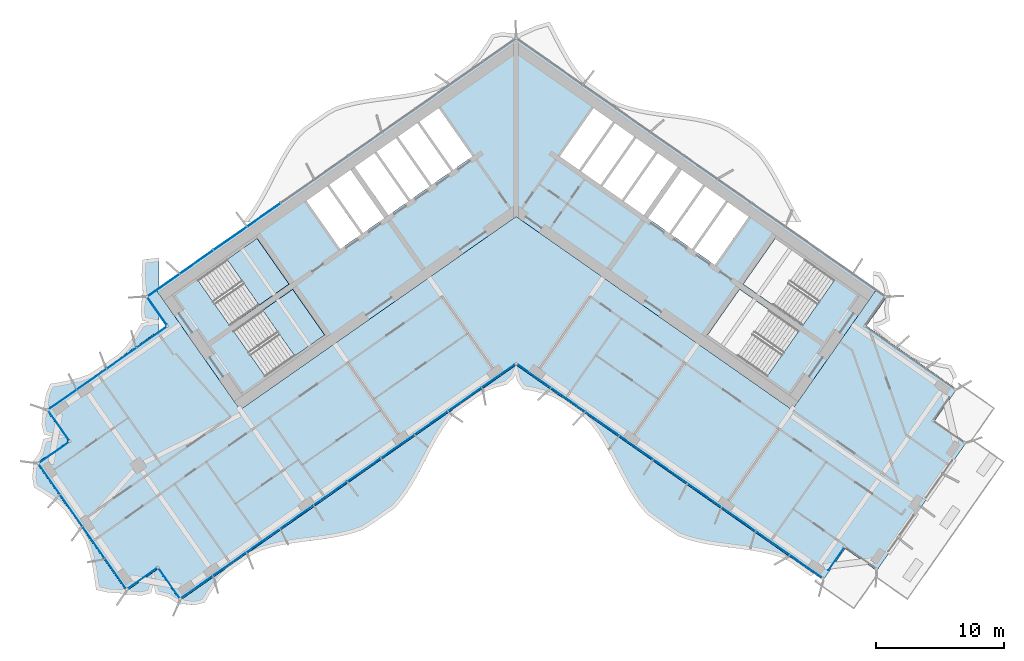
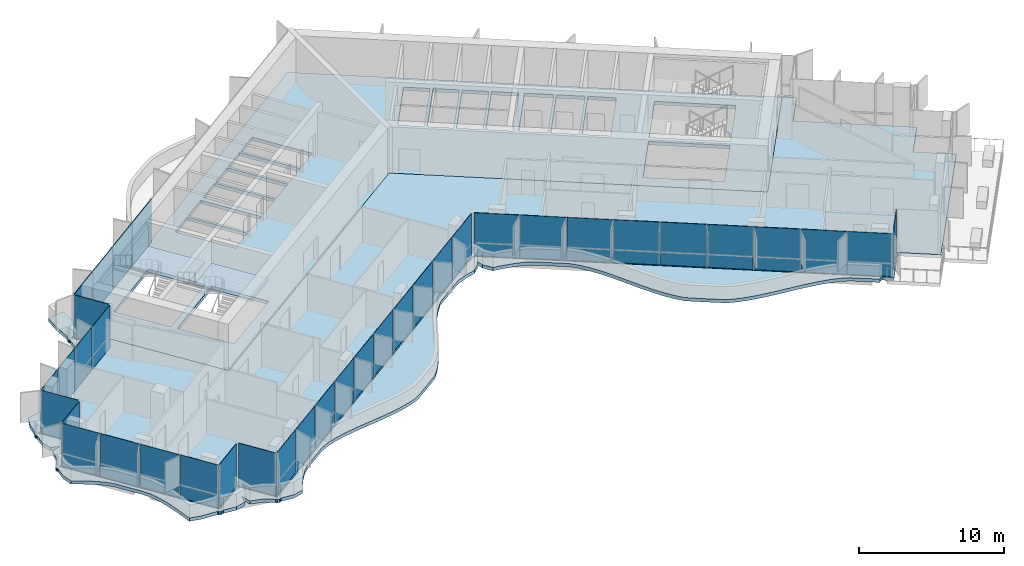
# One storey, part 11 of 23: 37 plates, 5 slabs, 4 elements without a shape of their own.
"""IFC4 building model written with IfcOpenShell, lengths in metres."""

from ifc_helpers import new_model, si_unit, direction, frame, origin, origin_2d, place, context, subcontext, project, spatial, polyline, rectangle, outline, extrude, material, layer, layer_set, type_object, element, aggregate, save


model = new_model("IFC4")

# Units and contexts
model_context = context("Model", 3, precision=1e-05, world=origin(), true_north=direction((0.0, 1.0)))
body_context = subcontext(model_context, "Body", "Model", "MODEL_VIEW")
ifc_project = project(units=[si_unit("LENGTHUNIT", "METRE"), si_unit("AREAUNIT", "SQUARE_METRE"), si_unit("VOLUMEUNIT", "CUBIC_METRE"), si_unit("PLANEANGLEUNIT", "RADIAN"), si_unit("MASSUNIT", "GRAM", prefix="KILO")], contexts=[model_context])

# Site, building, storey
site_placement = place(None, origin())
site = spatial("IfcSite", under=ifc_project, at=site_placement, CompositionType="ELEMENT")
building_placement = place(site_placement, origin())
building = spatial("IfcBuilding", under=site, at=building_placement, Name="Tel Ilan Convention Tower", CompositionType="ELEMENT")
storey_placement = place(building_placement, frame((0.0, 0.0, 190.5)))
storey = spatial("IfcBuildingStorey", under=building, at=storey_placement, Name="L44", CompositionType="ELEMENT", Elevation=190.5)

# Curtain wall, plates
ifc_material_1 = material(Name="Aluminium, bronze anodised", Category="aluminium")
curtain_wall_type_1 = type_object("IfcCurtainWallType", Name="CW4 STICK CURTAIN WALL, OFFICE TINTED GLASS", PredefinedType="NOTDEFINED", material=ifc_material_1)
curtain_wall_1_placement = place(storey_placement, origin())
curtain_wall_1 = element("IfcCurtainWall", 1, at=curtain_wall_1_placement, inside=storey, type_object=curtain_wall_type_1, Name="Curtain wall CW4-34.04", PredefinedType="NOTDEFINED")
ifc_material_2 = material(Name="Glass, bronze tinted, two-ply", Category="glass")
ifc_layer_1 = layer(ifc_material_2, 0.028076171875)
ifc_layer_set_1 = layer_set([ifc_layer_1], Name="CW GLASS PANEL 28")
plate_type_1 = type_object("IfcPlateType", Name="CW GLASS PANEL 28", PredefinedType="CURTAIN_PANEL", material=ifc_layer_set_1)
plate_1_placement = place(storey_placement, frame((-28.450927734375, -10.6435546875, 0.0), z_axis=(0.0, 0.0, 1.0), x_axis=(-0.819152044289, -0.573576436351, 0.0)))
plate_1 = element("IfcPlate", 2, at=plate_1_placement, type_object=plate_type_1, Name="Glass panel", PredefinedType="CURTAIN_PANEL", context=body_context, shape_type="SweptSolid", body=[
    extrude(rectangle(XDim=2.819091796875, YDim=0.028076171875, at=origin_2d()), origin(), (0.0, 0.0, 1.0), 3.6201171875),
])
plate_2_placement = place(storey_placement, frame((-30.79736328125, -12.28662109375, 0.0), z_axis=(0.0, 0.0, 1.0), x_axis=(-0.819152044289, -0.573576436351, 0.0)))
plate_2 = element("IfcPlate", 3, at=plate_2_placement, type_object=plate_type_1, Name="Glass panel", PredefinedType="CURTAIN_PANEL", context=body_context, shape_type="SweptSolid", body=[
    extrude(rectangle(XDim=2.7900390625, YDim=0.028076171875, at=origin_2d()), origin(), (0.0, 0.0, 1.0), 3.6201171875),
])
plate_3_placement = place(storey_placement, frame((-33.1318359375, -13.92138671875, 0.0), z_axis=(0.0, 0.0, 1.0), x_axis=(-0.819152044289, -0.573576436351, 0.0)))
plate_3 = element("IfcPlate", 4, at=plate_3_placement, type_object=plate_type_1, Name="Glass panel", PredefinedType="CURTAIN_PANEL", context=body_context, shape_type="SweptSolid", body=[
    extrude(rectangle(XDim=2.7900390625, YDim=0.028076171875, at=origin_2d()), origin(), (0.0, 0.0, 1.0), 3.6201171875),
])
plate_4_placement = place(storey_placement, frame((-35.427978515625, -15.529052734375, 0.0), z_axis=(0.0, 0.0, 1.0), x_axis=(-0.819152044289, -0.573576436351, 0.0)))
plate_4 = element("IfcPlate", 5, at=plate_4_placement, type_object=plate_type_1, Name="Glass panel", PredefinedType="CURTAIN_PANEL", context=body_context, shape_type="SweptSolid", body=[
    extrude(rectangle(XDim=2.696044921875, YDim=0.028076171875, at=origin_2d()), origin(), (0.0, 0.0, 1.0), 3.6201171875),
])
plate_5_placement = place(storey_placement, frame((-35.713623046875, -17.51318359375, 0.0), z_axis=(0.0, 0.0, 1.0), x_axis=(0.573576436351, -0.819152044289, 0.0)))
plate_5 = element("IfcPlate", 6, at=plate_5_placement, type_object=plate_type_1, Name="Glass panel", PredefinedType="CURTAIN_PANEL", context=body_context, shape_type="SweptSolid", body=[
    extrude(rectangle(XDim=2.875, YDim=0.028076171875, at=origin_2d()), origin(), (0.0, 0.0, 1.0), 3.6201171875),
])
plate_6_placement = place(storey_placement, frame((-36.09130859375, -19.656005859375, 0.0), z_axis=(0.0, 0.0, 1.0), x_axis=(-0.819152044289, -0.573576436351, 0.0)))
plate_6 = element("IfcPlate", 7, at=plate_6_placement, type_object=plate_type_1, Name="Glass panel", PredefinedType="CURTAIN_PANEL", context=body_context, shape_type="SweptSolid", body=[
    extrude(rectangle(XDim=2.875, YDim=0.028076171875, at=origin_2d()), origin(), (0.0, 0.0, 1.0), 3.6201171875),
])
plate_7_placement = place(storey_placement, frame((-36.4443359375, -21.699951171875, 0.0), z_axis=(0.0, 0.0, 1.0), x_axis=(0.573576436351, -0.819152044289, 0.0)))
plate_7 = element("IfcPlate", 8, at=plate_7_placement, type_object=plate_type_1, Name="Glass panel", PredefinedType="CURTAIN_PANEL", context=body_context, shape_type="SweptSolid", body=[
    extrude(rectangle(XDim=2.89599609375, YDim=0.028076171875, at=origin_2d()), origin(), (0.0, 0.0, 1.0), 3.6201171875),
])
plate_8_placement = place(storey_placement, frame((-34.721923828125, -24.159912109375, 0.0), z_axis=(0.0, 0.0, 1.0), x_axis=(0.573576436351, -0.819152044289, 0.0)))
plate_8 = element("IfcPlate", 9, at=plate_8_placement, type_object=plate_type_1, Name="Glass panel", PredefinedType="CURTAIN_PANEL", context=body_context, shape_type="SweptSolid", body=[
    extrude(rectangle(XDim=2.989990234375, YDim=0.028076171875, at=origin_2d()), origin(), (0.0, 0.0, 1.0), 3.6201171875),
])
plate_9_placement = place(storey_placement, frame((-32.972412109375, -26.658203125, 0.0), z_axis=(0.0, 0.0, 1.0), x_axis=(0.573576436351, -0.819152044289, 0.0)))
plate_9 = element("IfcPlate", 10, at=plate_9_placement, type_object=plate_type_1, Name="Glass panel", PredefinedType="CURTAIN_PANEL", context=body_context, shape_type="SweptSolid", body=[
    extrude(rectangle(XDim=2.989990234375, YDim=0.028076171875, at=origin_2d()), origin(), (0.0, 0.0, 1.0), 3.6201171875),
])
plate_10_placement = place(storey_placement, frame((-31.25, -29.1181640625, 0.0), z_axis=(0.0, 0.0, 1.0), x_axis=(0.573576436351, -0.819152044289, 0.0)))
plate_10 = element("IfcPlate", 11, at=plate_10_placement, type_object=plate_type_1, Name="Glass panel", PredefinedType="CURTAIN_PANEL", context=body_context, shape_type="SweptSolid", body=[
    extrude(rectangle(XDim=2.89599609375, YDim=0.028076171875, at=origin_2d()), origin(), (0.0, 0.0, 1.0), 3.6201171875),
])
plate_11_placement = place(storey_placement, frame((-29.20849609375, -29.48583984375, 0.0), z_axis=(0.0, 0.0, 1.0), x_axis=(0.819152044289, 0.573576436351, 0.0)))
plate_11 = element("IfcPlate", 12, at=plate_11_placement, type_object=plate_type_1, Name="Glass panel", PredefinedType="CURTAIN_PANEL", context=body_context, shape_type="SweptSolid", body=[
    extrude(rectangle(XDim=2.875, YDim=0.028076171875, at=origin_2d()), origin(), (0.0, 0.0, 1.0), 3.6201171875),
])
plate_12_placement = place(storey_placement, frame((-27.065673828125, -29.863525390625, 0.0), z_axis=(0.0, 0.0, 1.0), x_axis=(0.573576436351, -0.819152044289, 0.0)))
plate_12 = element("IfcPlate", 13, at=plate_12_placement, type_object=plate_type_1, Name="Glass panel", PredefinedType="CURTAIN_PANEL", context=body_context, shape_type="SweptSolid", body=[
    extrude(rectangle(XDim=2.875, YDim=0.028076171875, at=origin_2d()), origin(), (0.0, 0.0, 1.0), 3.6201171875),
])
plate_13_placement = place(storey_placement, frame((-24.958251953125, -30.172119140625, 0.0), z_axis=(0.0, 0.0, 1.0), x_axis=(0.819152044289, 0.573576436351, 0.0)))
plate_13 = element("IfcPlate", 14, at=plate_13_placement, type_object=plate_type_1, Name="Glass panel", PredefinedType="CURTAIN_PANEL", context=body_context, shape_type="SweptSolid", body=[
    extrude(rectangle(XDim=3.05078125, YDim=0.028076171875, at=origin_2d()), origin(), (0.0, 0.0, 1.0), 3.6201171875),
])
plate_14_placement = place(storey_placement, frame((-22.37158203125, -28.36083984375, 0.0), z_axis=(0.0, 0.0, 1.0), x_axis=(0.819152044289, 0.573576436351, 0.0)))
plate_14 = element("IfcPlate", 15, at=plate_14_placement, type_object=plate_type_1, Name="Glass panel", PredefinedType="CURTAIN_PANEL", context=body_context, shape_type="SweptSolid", body=[
    extrude(rectangle(XDim=3.144775390625, YDim=0.028076171875, at=origin_2d()), origin(), (0.0, 0.0, 1.0), 3.6201171875),
])
plate_15_placement = place(storey_placement, frame((-19.746337890625, -26.522705078125, 0.0), z_axis=(0.0, 0.0, 1.0), x_axis=(0.819152044289, 0.573576436351, 0.0)))
plate_15 = element("IfcPlate", 16, at=plate_15_placement, type_object=plate_type_1, Name="Glass panel", PredefinedType="CURTAIN_PANEL", context=body_context, shape_type="SweptSolid", body=[
    extrude(rectangle(XDim=3.144775390625, YDim=0.028076171875, at=origin_2d()), origin(), (0.0, 0.0, 1.0), 3.6201171875),
])
plate_16_placement = place(storey_placement, frame((-17.12109375, -24.684326171875, 0.0), z_axis=(0.0, 0.0, 1.0), x_axis=(0.819152044289, 0.573576436351, 0.0)))
plate_16 = element("IfcPlate", 17, at=plate_16_placement, type_object=plate_type_1, Name="Glass panel", PredefinedType="CURTAIN_PANEL", context=body_context, shape_type="SweptSolid", body=[
    extrude(rectangle(XDim=3.144775390625, YDim=0.028076171875, at=origin_2d()), origin(), (0.0, 0.0, 1.0), 3.6201171875),
])
plate_17_placement = place(storey_placement, frame((-14.49609375, -22.84619140625, 0.0), z_axis=(0.0, 0.0, 1.0), x_axis=(0.819152044289, 0.573576436351, 0.0)))
plate_17 = element("IfcPlate", 18, at=plate_17_placement, type_object=plate_type_1, Name="Glass panel", PredefinedType="CURTAIN_PANEL", context=body_context, shape_type="SweptSolid", body=[
    extrude(rectangle(XDim=3.144775390625, YDim=0.028076171875, at=origin_2d()), origin(), (0.0, 0.0, 1.0), 3.6201171875),
])
plate_18_placement = place(storey_placement, frame((-11.870849609375, -21.008056640625, 0.0), z_axis=(0.0, 0.0, 1.0), x_axis=(0.819152044289, 0.573576436351, 0.0)))
plate_18 = element("IfcPlate", 19, at=plate_18_placement, type_object=plate_type_1, Name="Glass panel", PredefinedType="CURTAIN_PANEL", context=body_context, shape_type="SweptSolid", body=[
    extrude(rectangle(XDim=3.144775390625, YDim=0.028076171875, at=origin_2d()), origin(), (0.0, 0.0, 1.0), 3.6201171875),
])
plate_19_placement = place(storey_placement, frame((-9.24560546875, -19.169921875, 0.0), z_axis=(0.0, 0.0, 1.0), x_axis=(0.819152044289, 0.573576436351, 0.0)))
plate_19 = element("IfcPlate", 20, at=plate_19_placement, type_object=plate_type_1, Name="Glass panel", PredefinedType="CURTAIN_PANEL", context=body_context, shape_type="SweptSolid", body=[
    extrude(rectangle(XDim=3.144775390625, YDim=0.028076171875, at=origin_2d()), origin(), (0.0, 0.0, 1.0), 3.6201171875),
])
plate_20_placement = place(storey_placement, frame((-6.620361328125, -17.331787109375, 0.0), z_axis=(0.0, 0.0, 1.0), x_axis=(0.819152044289, 0.573576436351, 0.0)))
plate_20 = element("IfcPlate", 21, at=plate_20_placement, type_object=plate_type_1, Name="Glass panel", PredefinedType="CURTAIN_PANEL", context=body_context, shape_type="SweptSolid", body=[
    extrude(rectangle(XDim=3.144775390625, YDim=0.028076171875, at=origin_2d()), origin(), (0.0, 0.0, 1.0), 3.6201171875),
])
plate_21_placement = place(storey_placement, frame((-3.9951171875, -15.493408203125, 0.0), z_axis=(0.0, 0.0, 1.0), x_axis=(0.819152044289, 0.573576436351, 0.0)))
plate_21 = element("IfcPlate", 22, at=plate_21_placement, type_object=plate_type_1, Name="Glass panel", PredefinedType="CURTAIN_PANEL", context=body_context, shape_type="SweptSolid", body=[
    extrude(rectangle(XDim=3.144775390625, YDim=0.028076171875, at=origin_2d()), origin(), (0.0, 0.0, 1.0), 3.6201171875),
])
plate_22_placement = place(storey_placement, frame((-1.370361328125, -13.655517578125, 0.0), z_axis=(0.0, 0.0, 1.0), x_axis=(0.819152044289, 0.573576436351, 0.0)))
plate_22 = element("IfcPlate", 23, at=plate_22_placement, type_object=plate_type_1, Name="Glass panel", PredefinedType="CURTAIN_PANEL", context=body_context, shape_type="SweptSolid", body=[
    extrude(rectangle(XDim=3.143798828125, YDim=0.028076171875, at=origin_2d()), origin(), (0.0, 0.0, 1.0), 3.6201171875),
])
plate_23_placement = place(storey_placement, frame((1.400390625, -13.676513671875, 0.0), z_axis=(0.0, 0.0, 1.0), x_axis=(0.819152044289, -0.573576436351, 0.0)))
plate_23 = element("IfcPlate", 24, at=plate_23_placement, type_object=plate_type_1, Name="Glass panel", PredefinedType="CURTAIN_PANEL", context=body_context, shape_type="SweptSolid", body=[
    extrude(rectangle(XDim=3.16064453125, YDim=0.028076171875, at=origin_2d()), origin(), (0.0, 0.0, 1.0), 3.6201171875),
])
plate_24_placement = place(storey_placement, frame((4.050537109375, -15.5322265625, 0.0), z_axis=(0.0, 0.0, 1.0), x_axis=(0.819152044289, -0.573576436351, 0.0)))
plate_24 = element("IfcPlate", 25, at=plate_24_placement, type_object=plate_type_1, Name="Glass panel", PredefinedType="CURTAIN_PANEL", context=body_context, shape_type="SweptSolid", body=[
    extrude(rectangle(XDim=3.189697265625, YDim=0.028076171875, at=origin_2d()), origin(), (0.0, 0.0, 1.0), 3.6201171875),
])
plate_25_placement = place(storey_placement, frame((6.71240234375, -17.396240234375, 0.0), z_axis=(0.0, 0.0, 1.0), x_axis=(0.819152044289, -0.573576436351, 0.0)))
plate_25 = element("IfcPlate", 26, at=plate_25_placement, type_object=plate_type_1, Name="Glass panel", PredefinedType="CURTAIN_PANEL", context=body_context, shape_type="SweptSolid", body=[
    extrude(rectangle(XDim=3.189697265625, YDim=0.028076171875, at=origin_2d()), origin(), (0.0, 0.0, 1.0), 3.6201171875),
])
plate_26_placement = place(storey_placement, frame((9.37451171875, -19.26025390625, 0.0), z_axis=(0.0, 0.0, 1.0), x_axis=(0.819152044289, -0.573576436351, 0.0)))
plate_26 = element("IfcPlate", 27, at=plate_26_placement, type_object=plate_type_1, Name="Glass panel", PredefinedType="CURTAIN_PANEL", context=body_context, shape_type="SweptSolid", body=[
    extrude(rectangle(XDim=3.189697265625, YDim=0.028076171875, at=origin_2d()), origin(), (0.0, 0.0, 1.0), 3.6201171875),
])
plate_27_placement = place(storey_placement, frame((12.03662109375, -21.124267578125, 0.0), z_axis=(0.0, 0.0, 1.0), x_axis=(0.819152044289, -0.573576436351, 0.0)))
plate_27 = element("IfcPlate", 28, at=plate_27_placement, type_object=plate_type_1, Name="Glass panel", PredefinedType="CURTAIN_PANEL", context=body_context, shape_type="SweptSolid", body=[
    extrude(rectangle(XDim=3.189697265625, YDim=0.028076171875, at=origin_2d()), origin(), (0.0, 0.0, 1.0), 3.6201171875),
])
plate_28_placement = place(storey_placement, frame((14.69873046875, -22.988037109375, 0.0), z_axis=(0.0, 0.0, 1.0), x_axis=(0.819152044289, -0.573576436351, 0.0)))
plate_28 = element("IfcPlate", 29, at=plate_28_placement, type_object=plate_type_1, Name="Glass panel", PredefinedType="CURTAIN_PANEL", context=body_context, shape_type="SweptSolid", body=[
    extrude(rectangle(XDim=3.189697265625, YDim=0.028076171875, at=origin_2d()), origin(), (0.0, 0.0, 1.0), 3.6201171875),
])
plate_29_placement = place(storey_placement, frame((17.360595703125, -24.85205078125, 0.0), z_axis=(0.0, 0.0, 1.0), x_axis=(0.819152044289, -0.573576436351, 0.0)))
plate_29 = element("IfcPlate", 30, at=plate_29_placement, type_object=plate_type_1, Name="Glass panel", PredefinedType="CURTAIN_PANEL", context=body_context, shape_type="SweptSolid", body=[
    extrude(rectangle(XDim=3.189697265625, YDim=0.028076171875, at=origin_2d()), origin(), (0.0, 0.0, 1.0), 3.6201171875),
])
plate_30_placement = place(storey_placement, frame((20.022705078125, -26.716064453125, 0.0), z_axis=(0.0, 0.0, 1.0), x_axis=(0.819152044289, -0.573576436351, 0.0)))
plate_30 = element("IfcPlate", 31, at=plate_30_placement, type_object=plate_type_1, Name="Glass panel", PredefinedType="CURTAIN_PANEL", context=body_context, shape_type="SweptSolid", body=[
    extrude(rectangle(XDim=3.189697265625, YDim=0.028076171875, at=origin_2d()), origin(), (0.0, 0.0, 1.0), 3.6201171875),
])
plate_31_placement = place(storey_placement, frame((22.646240234375, -28.55322265625, 0.0), z_axis=(0.0, 0.0, 1.0), x_axis=(0.819152044289, -0.573576436351, 0.0)))
plate_31 = element("IfcPlate", 32, at=plate_31_placement, type_object=plate_type_1, Name="Glass panel", PredefinedType="CURTAIN_PANEL", context=body_context, shape_type="SweptSolid", body=[
    extrude(rectangle(XDim=3.095703125, YDim=0.028076171875, at=origin_2d()), origin(), (0.0, 0.0, 1.0), 3.6201171875),
])
plate_32_placement = place(storey_placement, frame((24.98779296875, -27.949462890625, 0.0), z_axis=(0.0, 0.0, 1.0), x_axis=(0.573576436351, 0.819152044289, 0.0)))
plate_32 = element("IfcPlate", 33, at=plate_32_placement, type_object=plate_type_1, Name="Glass panel", PredefinedType="CURTAIN_PANEL", context=body_context, shape_type="SweptSolid", body=[
    extrude(rectangle(XDim=2.123046875, YDim=0.028076171875, at=origin_2d()), origin(), (0.0, 0.0, 1.0), 3.6201171875),
])
aggregate(curtain_wall_1, [plate_1, plate_2, plate_3, plate_4, plate_5, plate_6, plate_7, plate_8, plate_9, plate_10, plate_11, plate_12, plate_13, plate_14, plate_15, plate_16, plate_17, plate_18, plate_19, plate_20, plate_21, plate_22, plate_23, plate_24, plate_25, plate_26, plate_27, plate_28, plate_29, plate_30, plate_31, plate_32])

ifc_material_3 = material(Name="Aluminium, bronze anodised", Category="aluminium")
curtain_wall_type_2 = type_object("IfcCurtainWallType", Name="CW2 STICK CURTAIN WALL, SPANDREL PANELS", PredefinedType="NOTDEFINED", material=ifc_material_3)
curtain_wall_2_placement = place(storey_placement, origin())
curtain_wall_2 = element("IfcCurtainWall", 34, at=curtain_wall_2_placement, inside=storey, type_object=curtain_wall_type_2, Name="Curtain wall CW2-34.03", PredefinedType="NOTDEFINED")
ifc_material_4 = material(Name="Aluminium composite panel, bronze anodised", Category="aluminium")
ifc_layer_2 = layer(ifc_material_4, 0.06005859375)
ifc_layer_set_2 = layer_set([ifc_layer_2], Name="CW SPANDREL PANEL 60")
plate_type_2 = type_object("IfcPlateType", Name="CW SPANDREL PANEL 60", PredefinedType="CURTAIN_PANEL", material=ifc_layer_set_2)
plate_33_placement = place(storey_placement, frame((-19.687255859375, -1.089111328125, 0.0), z_axis=(0.0, 0.0, 1.0), x_axis=(-0.819152044289, -0.573576436351, 0.0)))
plate_33 = element("IfcPlate", 35, at=plate_33_placement, type_object=plate_type_2, Name="Spandrel panel", PredefinedType="CURTAIN_PANEL", context=body_context, shape_type="SweptSolid", body=[
    extrude(rectangle(XDim=3.15380859375, YDim=0.06005859375, at=origin_2d()), origin(), (0.0, 0.0, 1.0), 3.6201171875),
])
plate_34_placement = place(storey_placement, frame((-22.31982421875, -2.9326171875, 0.0), z_axis=(0.0, 0.0, 1.0), x_axis=(-0.819152044289, -0.573576436351, 0.0)))
plate_34 = element("IfcPlate", 36, at=plate_34_placement, type_object=plate_type_2, Name="Spandrel panel", PredefinedType="CURTAIN_PANEL", context=body_context, shape_type="SweptSolid", body=[
    extrude(rectangle(XDim=3.15380859375, YDim=0.06005859375, at=origin_2d()), origin(), (0.0, 0.0, 1.0), 3.6201171875),
])
plate_35_placement = place(storey_placement, frame((-24.95263671875, -4.77587890625, 0.0), z_axis=(0.0, 0.0, 1.0), x_axis=(-0.819152044289, -0.573576436351, 0.0)))
plate_35 = element("IfcPlate", 37, at=plate_35_placement, type_object=plate_type_2, Name="Spandrel panel", PredefinedType="CURTAIN_PANEL", context=body_context, shape_type="SweptSolid", body=[
    extrude(rectangle(XDim=3.15380859375, YDim=0.06005859375, at=origin_2d()), origin(), (0.0, 0.0, 1.0), 3.6201171875),
])
plate_36_placement = place(storey_placement, frame((-27.5400390625, -6.587646484375, 0.0), z_axis=(0.0, 0.0, 1.0), x_axis=(-0.819152044289, -0.573576436351, 0.0)))
plate_36 = element("IfcPlate", 38, at=plate_36_placement, type_object=plate_type_2, Name="Spandrel panel", PredefinedType="CURTAIN_PANEL", context=body_context, shape_type="SweptSolid", body=[
    extrude(rectangle(XDim=3.0439453125, YDim=0.06005859375, at=origin_2d()), origin(), (0.0, 0.0, 1.0), 3.6201171875),
])
plate_37_placement = place(storey_placement, frame((-28.033935546875, -8.60546875, 0.0), z_axis=(0.0, 0.0, 1.0), x_axis=(0.573576436351, -0.819152044289, 0.0)))
plate_37 = element("IfcPlate", 39, at=plate_37_placement, type_object=plate_type_2, Name="Spandrel panel", PredefinedType="CURTAIN_PANEL", context=body_context, shape_type="SweptSolid", body=[
    extrude(rectangle(XDim=2.658935546875, YDim=0.06005859375, at=origin_2d()), origin(), (0.0, 0.0, 1.0), 3.6201171875),
])
aggregate(curtain_wall_2, [plate_33, plate_34, plate_35, plate_36, plate_37])

# Stair, slab
ifc_material_5 = material(Name="Concrete C40/50", Category="concrete")
stair_type = type_object("IfcStairType", Name="Pressurised Exit Stair 22 risers 177 mm", PredefinedType="HALF_TURN_STAIR", material=ifc_material_5)
stair_1_placement = place(storey_placement, origin())
stair_1 = element("IfcStair", 40, at=stair_1_placement, inside=storey, type_object=stair_type, Name="L44 Pressurised Stair S1", PredefinedType="HALF_TURN_STAIR")
ifc_material_6 = material(Name="Concrete C40/50", Category="concrete")
ifc_layer_3 = layer(ifc_material_6, 0.199951171875)
ifc_layer_set_3 = layer_set([ifc_layer_3], Name="Concrete Stair Landing 200 mm C40/50")
slab_type_1 = type_object("IfcSlabType", Name="Concrete Stair Landing 200 mm", PredefinedType="LANDING", material=ifc_layer_set_3)
slab_1_placement = place(storey_placement, frame((0.0, 0.0, 1.75)))
slab_1 = element("IfcSlab", 41, at=slab_1_placement, type_object=slab_type_1, Name="S1 landing 1", PredefinedType="LANDING", context=body_context, shape_type="SweptSolid", body=[
    extrude(outline(polyline([(-20.066650390625, -8.130126953125), (-17.7314453125, -6.494873046875), (-20.226318359375, -2.931640625), (-22.561767578125, -4.566650390625), (-20.066650390625, -8.130126953125)])), origin(), (0.0, 0.0, 1.0), 0.199951171875),
])
aggregate(stair_1, [slab_1])

stair_2_placement = place(storey_placement, origin())
stair_2 = element("IfcStair", 42, at=stair_2_placement, inside=storey, type_object=stair_type, Name="L44 Pressurised Stair S2", PredefinedType="HALF_TURN_STAIR")
slab_2_placement = place(storey_placement, frame((0.0, 0.0, 1.75)))
slab_2 = element("IfcSlab", 43, at=slab_2_placement, type_object=slab_type_1, Name="S2 landing 1", PredefinedType="LANDING", context=body_context, shape_type="SweptSolid", body=[
    extrude(outline(polyline([(-17.28466796875, -12.10302734375), (-14.949462890625, -10.4677734375), (-17.444580078125, -6.904541015625), (-19.77978515625, -8.53955078125), (-17.28466796875, -12.10302734375)])), origin(), (0.0, 0.0, 1.0), 0.199951171875),
])
aggregate(stair_2, [slab_2])

# Slabs
ifc_material_7 = material(Name="Concrete C40/50", Category="concrete")
ifc_layer_4 = layer(ifc_material_7, 0.280029296875)
ifc_layer_set_4 = layer_set([ifc_layer_4], Name="Core Floor Slab 280 mm C40/50")
slab_type_2 = type_object("IfcSlabType", Name="Core Floor Slab 280 mm C40/50", PredefinedType="FLOOR", material=ifc_layer_set_4)
slab_3_placement = place(storey_placement, frame((0.0, 0.0, -0.280029296875)))
element("IfcSlab", 44, at=slab_3_placement, inside=storey, type_object=slab_type_2, Name="L44 core floor 1", PredefinedType="FLOOR", context=body_context, shape_type="SweptSolid", body=[
    extrude(outline(polyline([(-28.1396484375, -6.885498046875), (0.0, 12.818115234375), (28.1396484375, -6.885498046875), (21.54345703125, -16.3056640625), (0.0, -1.220703125), (-21.54345703125, -16.3056640625), (-28.1396484375, -6.885498046875)]), holes=[polyline([(-14.949462890625, -10.4677734375), (-17.444580078125, -6.904541015625), (-22.072021484375, -10.144775390625), (-19.5771484375, -13.7080078125), (-14.949462890625, -10.4677734375)]), polyline([(-17.7314453125, -6.494873046875), (-20.226318359375, -2.931640625), (-24.85400390625, -6.171875), (-22.35888671875, -9.735107421875), (-17.7314453125, -6.494873046875)]), polyline([(-14.75048828125, 1.14697265625), (-16.368408203125, 0.01416015625), (-13.729736328125, -3.75390625), (-12.112060546875, -2.62109375), (-14.75048828125, 1.14697265625)]), polyline([(-12.927734375, 2.423095703125), (-14.586669921875, 1.26171875), (-11.947998046875, -2.506591796875), (-10.289306640625, -1.344970703125), (-12.927734375, 2.423095703125)]), polyline([(-11.053955078125, 3.735107421875), (-12.60009765625, 2.652587890625), (-9.961669921875, -1.115478515625), (-8.41552734375, -0.032958984375), (-11.053955078125, 3.735107421875)]), polyline([(-9.385009765625, 4.90380859375), (-10.89013671875, 3.849853515625), (-8.251708984375, 0.081787109375), (-6.74658203125, 1.1357421875), (-9.385009765625, 4.90380859375)]), polyline([(-7.716064453125, 6.072509765625), (-9.22119140625, 5.0185546875), (-6.582763671875, 1.25048828125), (-5.077392578125, 2.304443359375), (-7.716064453125, 6.072509765625)]), polyline([(-6.046875, 7.2412109375), (-7.552001953125, 6.187255859375), (-4.913818359375, 2.419189453125), (-3.408447265625, 3.47314453125), (-6.046875, 7.2412109375)]), polyline([(4.913818359375, 2.419189453125), (7.552001953125, 6.187255859375), (6.046875, 7.2412109375), (3.408447265625, 3.47314453125), (4.913818359375, 2.419189453125)]), polyline([(17.444580078125, -6.904541015625), (14.949462890625, -10.4677734375), (19.5771484375, -13.7080078125), (22.072021484375, -10.144775390625), (17.444580078125, -6.904541015625)]), polyline([(20.226318359375, -2.931640625), (17.7314453125, -6.494873046875), (22.35888671875, -9.735107421875), (24.85400390625, -6.171875), (20.226318359375, -2.931640625)]), polyline([(15.511474609375, -5.00146484375), (18.14990234375, -1.2333984375), (16.531982421875, -0.1005859375), (13.8935546875, -3.86865234375), (15.511474609375, -5.00146484375)]), polyline([(13.729736328125, -3.75390625), (16.368408203125, 0.01416015625), (14.75048828125, 1.14697265625), (12.112060546875, -2.62109375), (13.729736328125, -3.75390625)]), polyline([(11.947998046875, -2.506591796875), (14.586669921875, 1.26171875), (12.927734375, 2.423095703125), (10.289306640625, -1.344970703125), (11.947998046875, -2.506591796875)]), polyline([(9.961669921875, -1.115478515625), (12.60009765625, 2.652587890625), (11.053955078125, 3.735107421875), (8.41552734375, -0.032958984375), (9.961669921875, -1.115478515625)]), polyline([(6.74658203125, 1.1357421875), (8.251708984375, 0.081787109375), (10.89013671875, 3.849853515625), (9.385009765625, 4.90380859375), (6.74658203125, 1.1357421875)]), polyline([(5.077392578125, 2.304443359375), (6.582763671875, 1.25048828125), (9.22119140625, 5.0185546875), (7.716064453125, 6.072509765625), (5.077392578125, 2.304443359375)])]), origin(), (0.0, 0.0, 1.0), 0.280029296875),
])
ifc_material_8 = material(Name="Concrete C40/50", Category="concrete")
ifc_layer_5 = layer(ifc_material_8, 0.280029296875)
ifc_layer_set_5 = layer_set([ifc_layer_5], Name="Edge Ledge Slab 280 mm C40/50")
slab_type_3 = type_object("IfcSlabType", Name="Edge Ledge Slab 280 mm C40/50", PredefinedType="FLOOR", material=ifc_layer_set_5)
slab_4_placement = place(storey_placement, frame((0.0, 0.0, -0.280029296875)))
element("IfcSlab", 45, at=slab_4_placement, inside=storey, type_object=slab_type_3, Name="L44 edge ledge 1", PredefinedType="FLOOR", context=body_context, shape_type="SweptSolid", body=[
    extrude(outline(polyline([(-29.29443359375, -8.548583984375), (-29.20458984375, -7.631103515625), (-29.199951171875, -7.6279296875), (-29.236083984375, -7.57373046875), (-29.2587890625, -7.458984375), (-29.236083984375, -7.34423828125), (-29.1708984375, -7.246826171875), (-29.127685546875, -7.218017578125), (-29.130859375, -7.21337890625), (-29.231689453125, -5.78515625), (-29.161865234375, -4.60107421875), (-28.33935546875, -4.49169921875), (-27.875, -4.4326171875), (-27.875, -6.7001953125), (-28.958740234375, -7.458984375), (-27.875, -9.007080078125), (-27.875, -10.1181640625), (-31.117919921875, -12.38916015625), (-36.449951171875, -16.12255859375), (-36.691162109375, -16.29150390625), (-34.970458984375, -18.748779296875), (-35.21142578125, -18.917724609375), (-36.71484375, -19.97021484375), (-37.186767578125, -20.30078125), (-37.427978515625, -20.469482421875), (-30.43017578125, -30.46337890625), (-27.972900390625, -28.74267578125), (-26.251953125, -31.199951171875), (0.0, -12.818115234375), (23.27490234375, -29.115478515625), (23.22509765625, -29.132080078125), (23.18017578125, -29.152099609375), (23.1376953125, -29.17626953125), (23.09765625, -29.20458984375), (23.060546875, -29.23681640625), (23.02685546875, -29.2724609375), (23.0087890625, -29.29541015625), (21.3291015625, -28.119140625), (20.632080078125, -27.80712890625), (19.875244140625, -27.580322265625), (19.084228515625, -27.402587890625), (18.26708984375, -27.26220703125), (17.432861328125, -27.14599609375), (16.591796875, -27.03955078125), (15.75439453125, -26.92822265625), (14.930419921875, -26.79736328125), (14.1298828125, -26.63330078125), (13.361083984375, -26.423583984375), (12.631103515625, -26.15869140625), (12.007080078125, -25.742431640625), (10.778564453125, -24.882080078125), (10.174072265625, -24.437744140625), (9.675537109375, -23.84228515625), (9.2158203125, -23.191162109375), (8.7880859375, -22.494873046875), (8.38330078125, -21.765380859375), (7.9921875, -21.016357421875), (7.6044921875, -20.262451171875), (7.2099609375, -19.5185546875), (6.798583984375, -18.798583984375), (6.36083984375, -18.1162109375), (5.888916015625, -17.48291015625), (5.356689453125, -16.935302734375), (3.513916015625, -15.644775390625), (2.855712890625, -15.277099609375), (2.112060546875, -15.03173828125), (1.331787109375, -14.8388671875), (0.522216796875, -14.687255859375), (0.0673828125, -14.029296875), (-0.0556640625, -13.532958984375), (-0.200439453125, -13.831298828125), (-0.755615234375, -14.337890625), (-1.5224609375, -14.5419921875), (-2.251708984375, -14.800048828125), (-2.880615234375, -15.201416015625), (-4.7119140625, -16.48388671875), (-5.212890625, -17.067626953125), (-5.67431640625, -17.708251953125), (-6.103271484375, -18.39501953125), (-6.508056640625, -19.1162109375), (-6.898193359375, -19.858642578125), (-7.283203125, -20.608154296875), (-7.673583984375, -21.35009765625), (-8.0791015625, -22.0703125), (-8.509033203125, -22.755615234375), (-8.9716796875, -23.39404296875), (-9.4775390625, -23.97119140625), (-11.30908203125, -25.253662109375), (-11.941650390625, -25.649658203125), (-12.672119140625, -25.90576171875), (-13.4404296875, -26.10791015625), (-14.239013671875, -26.266845703125), (-15.059814453125, -26.394287109375), (-15.892822265625, -26.503662109375), (-16.728515625, -26.609619140625), (-17.556396484375, -26.726806640625), (-18.36669921875, -26.86865234375), (-19.150634765625, -27.048583984375), (-19.900146484375, -27.277587890625), (-20.58544921875, -27.598388671875), (-22.4169921875, -28.880859375), (-22.980224609375, -29.375732421875), (-23.4609375, -29.98828125), (-23.90576171875, -30.652587890625), (-24.322021484375, -31.357421875), (-25.097412109375, -31.54931640625), (-26.080078125, -31.44580078125), (-26.083251953125, -31.441162109375), (-26.13720703125, -31.477294921875), (-26.251953125, -31.5), (-26.36669921875, -31.477294921875), (-26.464111328125, -31.412109375), (-26.4931640625, -31.368896484375), (-26.497802734375, -31.3720703125), (-27.170166015625, -30.92724609375), (-28.12109375, -30.677490234375), (-28.31640625, -29.930908203125), (-28.4951171875, -30.61181640625), (-29.26904296875, -30.814208984375), (-30.25830078125, -30.708984375), (-30.261474609375, -30.704345703125), (-30.3154296875, -30.740478515625), (-30.43017578125, -30.76318359375), (-30.544921875, -30.740478515625), (-30.642333984375, -30.67529296875), (-30.67138671875, -30.632080078125), (-30.676025390625, -30.635498046875), (-31.836181640625, -30.57177734375), (-32.782958984375, -30.358642578125), (-32.89599609375, -29.5615234375), (-33.01904296875, -28.771728515625), (-33.17138671875, -28.002197265625), (-33.363525390625, -27.2607421875), (-33.60498046875, -26.5537109375), (-33.968994140625, -25.9326171875), (-35.203857421875, -24.1689453125), (-35.712890625, -23.649169921875), (-36.311767578125, -23.1923828125), (-36.95703125, -22.768310546875), (-37.634765625, -22.36669921875), (-37.76904296875, -21.584716796875), (-37.673583984375, -20.6416015625), (-37.6689453125, -20.638427734375), (-37.705078125, -20.58447265625), (-37.727783203125, -20.469482421875), (-37.705078125, -20.354736328125), (-37.639892578125, -20.257568359375), (-37.5966796875, -20.228515625), (-37.599853515625, -20.223876953125), (-37.1552734375, -19.551513671875), (-36.905517578125, -18.6005859375), (-36.15869140625, -18.4052734375), (-36.839599609375, -18.2265625), (-37.0419921875, -17.45263671875), (-36.93701171875, -16.46337890625), (-36.93212890625, -16.460205078125), (-36.96826171875, -16.40625), (-36.9912109375, -16.29150390625), (-36.96826171875, -16.176513671875), (-36.9033203125, -16.079345703125), (-36.85986328125, -16.05029296875), (-36.86328125, -16.045654296875), (-36.686767578125, -15.055419921875), (-36.35986328125, -14.280029296875), (-35.58203125, -14.148681640625), (-34.8203125, -13.994384765625), (-34.086669921875, -13.7998046875), (-33.387451171875, -13.55615234375), (-32.777587890625, -13.18505859375), (-31.026611328125, -11.958984375), (-30.515380859375, -11.447021484375), (-30.06298828125, -10.850830078125), (-29.642578125, -10.208984375), (-29.2431640625, -9.537353515625), (-28.64111328125, -9.44189453125), (-29.194091796875, -9.332763671875), (-29.29443359375, -8.548583984375)])), origin(), (0.0, 0.0, 1.0), 0.280029296875),
])
ifc_material_9 = material(Name="Concrete C40/50", Category="concrete")
ifc_layer_6 = layer(ifc_material_9, 0.280029296875)
ifc_layer_set_6 = layer_set([ifc_layer_6], Name="Flat Plate Floor Slab 280 mm C40/50")
slab_type_4 = type_object("IfcSlabType", Name="Flat Plate Floor Slab 280 mm C40/50", PredefinedType="FLOOR", material=ifc_layer_set_6)
slab_5_placement = place(storey_placement, frame((0.0, 0.0, -0.280029296875)))
element("IfcSlab", 46, at=slab_5_placement, inside=storey, type_object=slab_type_4, Name="L44 floor slab", PredefinedType="FLOOR", context=body_context, shape_type="SweptSolid", body=[
    extrude(outline(polyline([(32.6767578125, -17.142822265625), (35.13427734375, -18.863525390625), (28.13671875, -28.857421875), (25.67919921875, -27.136474609375), (23.95849609375, -29.593994140625), (0.0, -12.818115234375), (-26.251953125, -31.199951171875), (-27.972900390625, -28.74267578125), (-30.43017578125, -30.46337890625), (-37.427978515625, -20.469482421875), (-37.186767578125, -20.30078125), (-36.71484375, -19.97021484375), (-35.21142578125, -18.917724609375), (-34.970458984375, -18.748779296875), (-36.691162109375, -16.29150390625), (-36.449951171875, -16.12255859375), (-31.117919921875, -12.38916015625), (-27.627197265625, -9.944580078125), (-27.352783203125, -9.752685546875), (-28.958740234375, -7.458984375), (-28.1396484375, -6.885498046875), (-21.54345703125, -16.3056640625), (0.0, -1.220703125), (21.54345703125, -16.3056640625), (28.1396484375, -6.885498046875), (28.958740234375, -7.458984375), (27.352783203125, -9.752685546875), (34.3974609375, -14.685302734375), (32.6767578125, -17.142822265625)])), origin(), (0.0, 0.0, 1.0), 0.280029296875),
])

save(model, "model.ifc")
